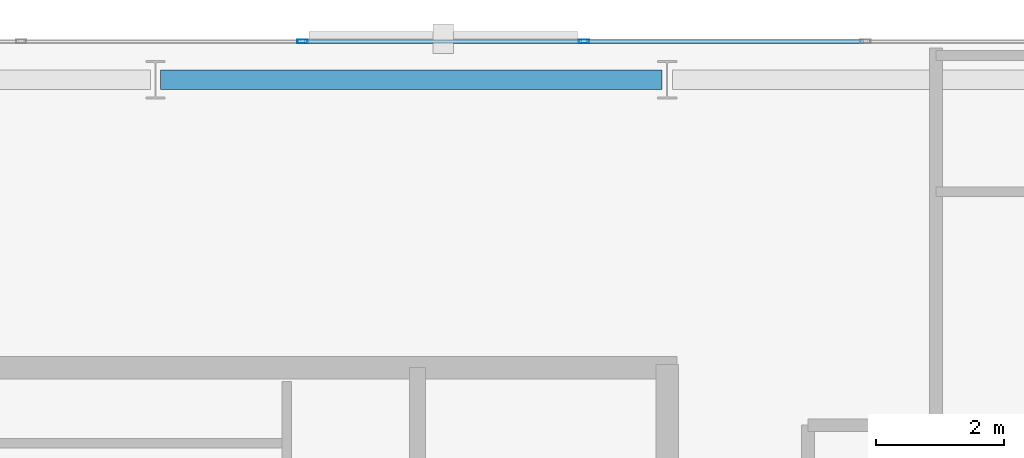
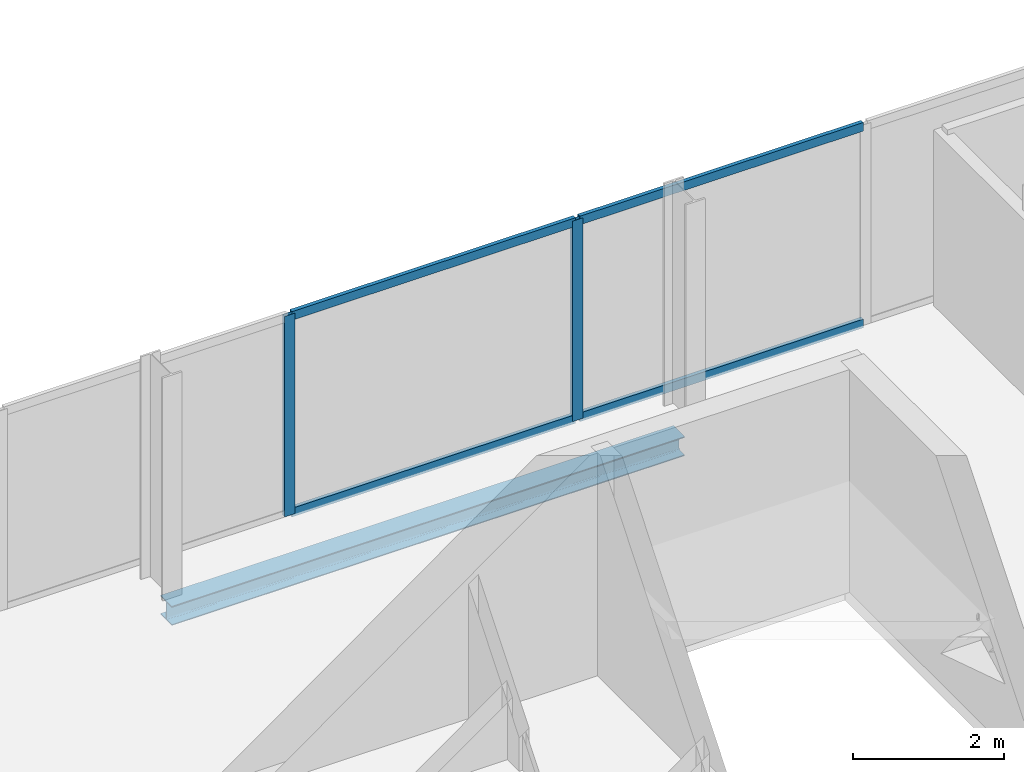
# One storey, part 24 of 32: 6 members, 1 beam, 1 element without a shape of its own.
"""IFC4 building model written with IfcOpenShell, lengths in metres."""

from ifc_helpers import new_model, si_unit, direction, frame, origin, origin_2d, place, context, subcontext, project, spatial, hollow_rectangle, i_section, extrude, material, layer, layer_set, material_profile, profile_set, type_object, element, aggregate, save


model = new_model("IFC4")

# Units and contexts
model_context = context("Model", 3, precision=1e-05, world=origin(), true_north=direction((0.0, 1.0)))
body_context = subcontext(model_context, "Body", "Model", "MODEL_VIEW")
ifc_project = project(units=[si_unit("LENGTHUNIT", "METRE"), si_unit("AREAUNIT", "SQUARE_METRE"), si_unit("VOLUMEUNIT", "CUBIC_METRE"), si_unit("PLANEANGLEUNIT", "RADIAN"), si_unit("MASSUNIT", "GRAM", prefix="KILO")], contexts=[model_context])

# Site, building, storey
site_placement = place(None, origin())
site = spatial("IfcSite", under=ifc_project, at=site_placement, CompositionType="ELEMENT")
building_placement = place(site_placement, origin())
building = spatial("IfcBuilding", under=site, at=building_placement, Name="Catumbela Crestline Tower", CompositionType="ELEMENT")
storey_placement = place(building_placement, frame((0.0, 0.0, 140.4)))
storey = spatial("IfcBuildingStorey", under=building, at=storey_placement, Name="L36", CompositionType="ELEMENT", Elevation=140.4)

# Curtain wall, members
ifc_material_1 = material(Name="Aluminium alloy AW-6060-T66", Category="aluminium")
ifc_layer = layer(ifc_material_1, 0.18, Name="Aluminium alloy AW-6060-T66")
ifc_layer_set = layer_set([ifc_layer], Name="Aluminium alloy AW-6060-T66")
curtain_wall_type = type_object("IfcCurtainWallType", Name="CWU-Z2", PredefinedType="USERDEFINED", material=ifc_layer_set)
curtain_wall_placement = place(storey_placement, origin())
curtain_wall = element("IfcCurtainWall", 1, at=curtain_wall_placement, inside=storey, type_object=curtain_wall_type, Name="L36 Unitised Curtain Wall CW-L36-E7S1", ObjectType="UNITISED", PredefinedType="USERDEFINED")
ifc_material_profile_1 = material_profile(ifc_material_1, hollow_rectangle(XDim=0.06, YDim=0.16, WallThickness=0.004, at=origin_2d()), Name="ALU 160x60x4")
ifc_profile_set_1 = profile_set([ifc_material_profile_1], Name="Aluminium alloy AW-6060-T66")
member_type_1 = type_object("IfcMemberType", Name="MUL-160X60", PredefinedType="MULLION", material=ifc_profile_set_1)
member_1_placement = place(storey_placement, frame((38.7, 48.0, 0.0), z_axis=(0.0, 0.0, 1.0), x_axis=(0.0, -1.0, 0.0)))
member_1 = element("IfcMember", 2, at=member_1_placement, type_object=member_type_1, Name="CWU-Z2 mullion 3", PredefinedType="MULLION", context=body_context, shape_type="SweptSolid", body=[
    extrude(hollow_rectangle(XDim=0.06, YDim=0.16, WallThickness=0.004, at=origin_2d()), origin(), (0.0, 0.0, 1.0), 3.24),
])
member_2_placement = place(storey_placement, frame((34.3, 48.0, 0.0), z_axis=(0.0, 0.0, 1.0), x_axis=(0.0, -1.0, 0.0)))
member_2 = element("IfcMember", 3, at=member_2_placement, type_object=member_type_1, Name="CWU-Z2 mullion 4", PredefinedType="MULLION", context=body_context, shape_type="SweptSolid", body=[
    extrude(hollow_rectangle(XDim=0.06, YDim=0.16, WallThickness=0.004, at=origin_2d()), origin(), (0.0, 0.0, 1.0), 3.24),
])

# Beam
ifc_material_2 = material(Name="Structural steel S355J2", Category="steel")
ifc_material_profile_2 = material_profile(ifc_material_2, i_section(OverallWidth=0.3, OverallDepth=0.31, WebThickness=0.009, FlangeThickness=0.0155, FilletRadius=0.027, at=origin_2d()), Name="HEA 320")
ifc_profile_set_2 = profile_set([ifc_material_profile_2], Name="Structural steel S355J2")
beam_type = type_object("IfcBeamType", Name="BS-HEA320", PredefinedType="SPANDREL", material=ifc_profile_set_2)
beam_placement = place(storey_placement, frame((32.08, 47.4, -0.415), z_axis=(1.0, 0.0, 0.0), x_axis=(0.0, 1.0, 0.0)))
element("IfcBeam", 4, at=beam_placement, inside=storey, type_object=beam_type, Name="L36 Spandrel SP-L36-NF20", PredefinedType="SPANDREL", context=body_context, shape_type="SweptSolid", body=[
    extrude(i_section(OverallWidth=0.3, OverallDepth=0.31, WebThickness=0.009, FlangeThickness=0.0155, FilletRadius=0.027, at=origin_2d()), origin(), (0.0, 0.0, 1.0), 7.84),
])

# Member
ifc_material_profile_3 = material_profile(ifc_material_1, hollow_rectangle(XDim=0.06, YDim=0.14, WallThickness=0.004, at=origin_2d()), Name="ALU 140x60x4")
ifc_profile_set_3 = profile_set([ifc_material_profile_3], Name="Aluminium alloy AW-6060-T66")
member_type_2 = type_object("IfcMemberType", Name="TRN-140X60", PredefinedType="USERDEFINED", material=ifc_profile_set_3)
member_3_placement = place(storey_placement, frame((43.0675, 48.0, 0.03), z_axis=(-1.0, 0.0, 0.0), x_axis=(0.0, -1.0, 0.0)))
member_3 = element("IfcMember", 5, at=member_3_placement, type_object=member_type_2, Name="CWU-Z2 transom 2.1", ObjectType="TRANSOM", PredefinedType="USERDEFINED", context=body_context, shape_type="SweptSolid", body=[
    extrude(hollow_rectangle(XDim=0.06, YDim=0.14, WallThickness=0.004, at=origin_2d()), origin(), (0.0, 0.0, 1.0), 4.335),
])

member_4_placement = place(storey_placement, frame((43.0675, 48.0, 3.21), z_axis=(-1.0, 0.0, 0.0), x_axis=(0.0, -1.0, 0.0)))
member_4 = element("IfcMember", 6, at=member_4_placement, type_object=member_type_2, Name="CWU-Z2 transom 2.2", ObjectType="TRANSOM", PredefinedType="USERDEFINED", context=body_context, shape_type="SweptSolid", body=[
    extrude(hollow_rectangle(XDim=0.06, YDim=0.14, WallThickness=0.004, at=origin_2d()), origin(), (0.0, 0.0, 1.0), 4.335),
])

member_5_placement = place(storey_placement, frame((38.6675, 48.0, 0.03), z_axis=(-1.0, 0.0, 0.0), x_axis=(0.0, -1.0, 0.0)))
member_5 = element("IfcMember", 7, at=member_5_placement, type_object=member_type_2, Name="CWU-Z2 transom 3.1", ObjectType="TRANSOM", PredefinedType="USERDEFINED", context=body_context, shape_type="SweptSolid", body=[
    extrude(hollow_rectangle(XDim=0.06, YDim=0.14, WallThickness=0.004, at=origin_2d()), origin(), (0.0, 0.0, 1.0), 4.335),
])

member_6_placement = place(storey_placement, frame((38.6675, 48.0, 3.21), z_axis=(-1.0, 0.0, 0.0), x_axis=(0.0, -1.0, 0.0)))
member_6 = element("IfcMember", 8, at=member_6_placement, type_object=member_type_2, Name="CWU-Z2 transom 3.2", ObjectType="TRANSOM", PredefinedType="USERDEFINED", context=body_context, shape_type="SweptSolid", body=[
    extrude(hollow_rectangle(XDim=0.06, YDim=0.14, WallThickness=0.004, at=origin_2d()), origin(), (0.0, 0.0, 1.0), 4.335),
])

aggregate(curtain_wall, [member_1, member_2, member_3, member_4, member_5, member_6])

save(model, "model.ifc")
